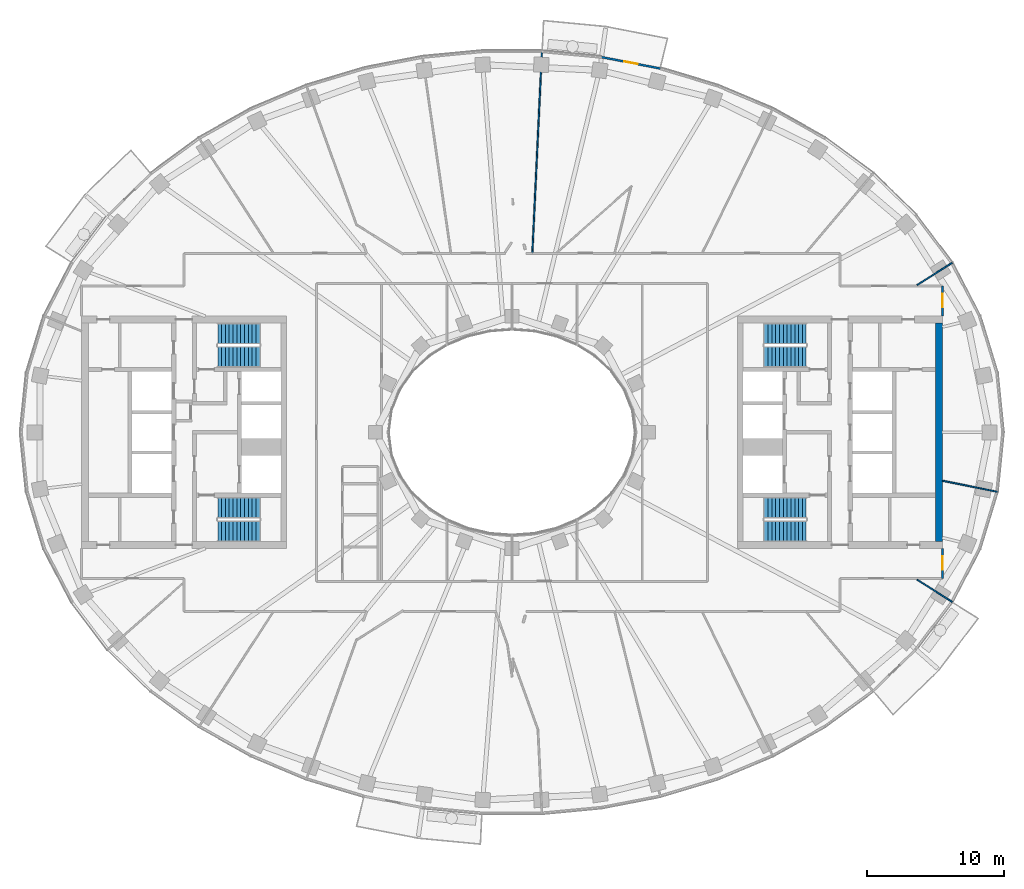
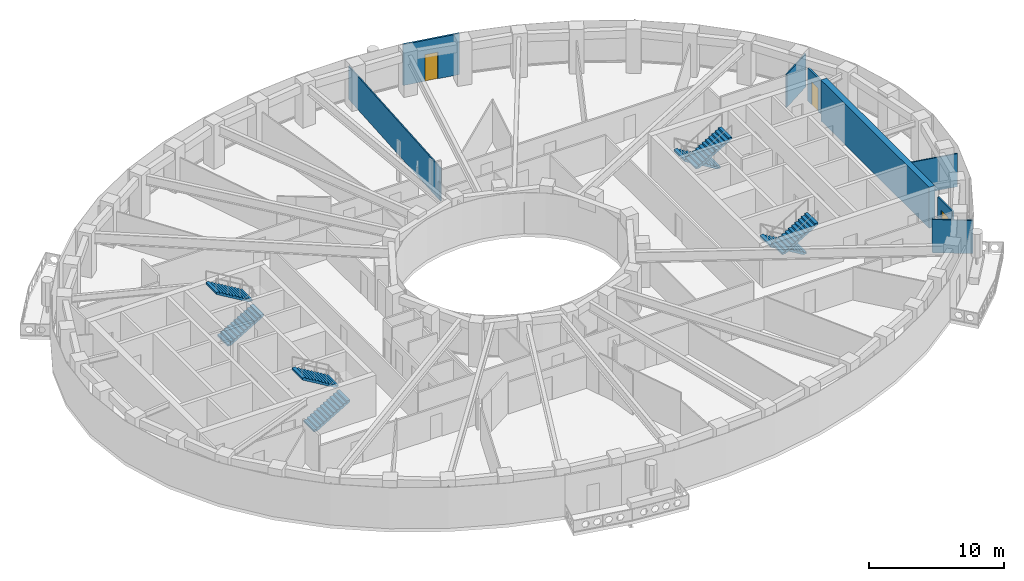
# One storey, part 7 of 16: 8 stair flights, 8 walls, 3 doors, 3 openings, 4 elements without a shape of their own.
"""IFC4 building model written with IfcOpenShell, lengths in metres."""

from ifc_helpers import new_model, si_unit, direction, frame, frame_2d, origin, place, context, subcontext, project, spatial, polyline, rectangle, outline, extrude, material, layer, layer_set, type_object, element, fill, aggregate, save


model = new_model("IFC4")

# Units and contexts
model_context = context("Model", 3, precision=1e-05, world=origin(), true_north=direction((0.0, 1.0)))
body_context = subcontext(model_context, "Body", "Model", "MODEL_VIEW")
ifc_project = project(units=[si_unit("LENGTHUNIT", "METRE"), si_unit("AREAUNIT", "SQUARE_METRE"), si_unit("VOLUMEUNIT", "CUBIC_METRE"), si_unit("PLANEANGLEUNIT", "RADIAN"), si_unit("MASSUNIT", "GRAM", prefix="KILO")], contexts=[model_context])

# Site, building, storey
site_placement = place(None, origin())
site = spatial("IfcSite", under=ifc_project, at=site_placement, CompositionType="ELEMENT")
building_placement = place(site_placement, origin())
building = spatial("IfcBuilding", under=site, at=building_placement, Name="Noorbagh Ring Tower", CompositionType="ELEMENT")
storey_placement = place(building_placement, frame((0.0, 0.0, 237.5)))
storey = spatial("IfcBuildingStorey", under=building, at=storey_placement, Name="L49", CompositionType="ELEMENT", Elevation=237.5)

# Wall
ifc_material_1 = material(Name="Concrete C60/75", Category="concrete")
ifc_layer_1 = layer(ifc_material_1, 0.5)
ifc_layer_set_1 = layer_set([ifc_layer_1], Name="Concrete C60/75")
wall_type_1 = type_object("IfcWallType", Name="CORE-WALL-500-C60-75-EI240", PredefinedType="SHEAR", material=ifc_layer_set_1)
wall_1_placement = place(storey_placement, frame((31.25, -8.0, 0.0), z_axis=(0.0, 0.0, 1.0), x_axis=(0.0, 1.0, 0.0)))
element("IfcWall", 1, at=wall_1_placement, inside=storey, type_object=wall_type_1, Name="Core wall E", PredefinedType="SHEAR", context=body_context, shape_type="SweptSolid", body=[
    extrude(rectangle(XDim=16.0, YDim=0.5, at=frame_2d((8.0, 0.0))), origin(), (0.0, 0.0, 1.0), 3.699951171875),
])

# Wall, opening, door
ifc_material_2 = material(Name="Gypsum board on steel studs", Category="steel")
ifc_layer_2 = layer(ifc_material_2, 0.14990234375)
ifc_layer_set_2 = layer_set([ifc_layer_2], Name="Gypsum board on steel studs")
wall_type_2 = type_object("IfcWallType", Name="CORRIDOR PARTITION 150 EI 30", PredefinedType="PARTITIONING", material=ifc_layer_set_2)
wall_2_placement = place(storey_placement, frame((31.5, -10.699951171875, 0.0), z_axis=(0.0, 0.0, 1.0), x_axis=(0.0, 1.0, 0.0)))
wall_2 = element("IfcWall", 2, at=wall_2_placement, inside=storey, type_object=wall_type_2, Name="L49/wall/P74", PredefinedType="PARTITIONING", context=body_context, shape_type="SweptSolid", body=[
    extrude(rectangle(XDim=2.199951171875, YDim=0.14990234375, at=frame_2d((1.10009765625, 0.0))), origin(), (0.0, 0.0, 1.0), 3.0),
])
opening_1_placement = place(wall_2_placement, frame((0.64990234375, 0.0, 0.0)))
opening_1 = element("IfcOpeningElement", 3, at=opening_1_placement, cuts=wall_2, Name="Opening D1", PredefinedType="OPENING", context=body_context, shape_type="SweptSolid", body=[
    extrude(rectangle(XDim=1.0, YDim=2.10009765625, at=frame_2d((0.5, 1.050048828125))), frame((0.0, 0.0849609375, 0.0), z_axis=(0.0, -1.0, 0.0), x_axis=(1.0, 0.0, 0.0)), (0.0, 0.0, 1.0), 0.169921875),
])
ifc_material_3 = material(Name="Timber, painted", Category="wood")
door_type_1 = type_object("IfcDoorType", Name="DOOR 1000 X 2100 FD30", OperationType="SINGLE_SWING_LEFT", PredefinedType="DOOR", material=ifc_material_3)
door_1_placement = place(opening_1_placement, origin())
door_1 = element("IfcDoor", 4, at=door_1_placement, inside=storey, type_object=door_type_1, Name="L49-D22", OperationType="SINGLE_SWING_RIGHT", OverallHeight=2.10009765625, OverallWidth=1.0, PredefinedType="DOOR", context=body_context, shape_type="SweptSolid", body=[
    extrude(rectangle(XDim=1.0, YDim=2.10009765625, at=frame_2d((0.5, 1.050048828125))), frame((0.0, 0.02490234375, 0.0), z_axis=(0.0, -1.0, 0.0), x_axis=(1.0, 0.0, 0.0)), (0.0, 0.0, 1.0), 0.050048828125),
])
fill(opening_1, door_1)

wall_3_placement = place(storey_placement, frame((31.5, 8.5, 0.0), z_axis=(0.0, 0.0, 1.0), x_axis=(0.0, 1.0, 0.0)))
wall_3 = element("IfcWall", 5, at=wall_3_placement, inside=storey, type_object=wall_type_2, Name="L49/wall/P76", PredefinedType="PARTITIONING", context=body_context, shape_type="SweptSolid", body=[
    extrude(rectangle(XDim=2.199951171875, YDim=0.14990234375, at=frame_2d((1.10009765625, 0.0))), origin(), (0.0, 0.0, 1.0), 3.0),
])
opening_2_placement = place(wall_3_placement, frame((0.64990234375, 0.0, 0.0)))
opening_2 = element("IfcOpeningElement", 6, at=opening_2_placement, cuts=wall_3, Name="Opening D1", PredefinedType="OPENING", context=body_context, shape_type="SweptSolid", body=[
    extrude(rectangle(XDim=1.0, YDim=2.10009765625, at=frame_2d((0.5, 1.050048828125))), frame((0.0, 0.0849609375, 0.0), z_axis=(0.0, -1.0, 0.0), x_axis=(1.0, 0.0, 0.0)), (0.0, 0.0, 1.0), 0.169921875),
])
door_2_placement = place(opening_2_placement, origin())
door_2 = element("IfcDoor", 7, at=door_2_placement, inside=storey, type_object=door_type_1, Name="L49-D23", OperationType="SINGLE_SWING_LEFT", OverallHeight=2.10009765625, OverallWidth=1.0, PredefinedType="DOOR", context=body_context, shape_type="SweptSolid", body=[
    extrude(rectangle(XDim=1.0, YDim=2.10009765625, at=frame_2d((0.5, 1.050048828125))), frame((0.0, 0.02490234375, 0.0), z_axis=(0.0, -1.0, 0.0), x_axis=(1.0, 0.0, 0.0)), (0.0, 0.0, 1.0), 0.050048828125),
])
fill(opening_2, door_2)

ifc_material_4 = material(Name="Insulated aluminium clad panel", Category="aluminium")
ifc_layer_3 = layer(ifc_material_4, 0.14990234375)
ifc_layer_set_3 = layer_set([ifc_layer_3], Name="Insulated aluminium clad panel")
wall_type_3 = type_object("IfcWallType", Name="ENV-WALL-DOOR", PredefinedType="STANDARD", material=ifc_layer_set_3)
wall_4_placement = place(storey_placement, frame((10.87060546875, 26.616943359375, 0.0), z_axis=(0.0, 0.0, 1.0), x_axis=(-0.981631174778, 0.190788460615, 0.0)))
wall_4 = element("IfcWall", 8, at=wall_4_placement, inside=storey, type_object=wall_type_3, Name="Balcony door wall chord 10", PredefinedType="STANDARD", context=body_context, shape_type="SweptSolid", body=[
    extrude(rectangle(XDim=4.42626953125, YDim=0.14990234375, at=frame_2d((2.213134765625, 0.0))), origin(), (0.0, 0.0, 1.0), 3.699951171875),
])
opening_3_placement = place(wall_4_placement, frame((1.713134765625, 0.0, 0.0)))
opening_3 = element("IfcOpeningElement", 9, at=opening_3_placement, cuts=wall_4, Name="Opening D-BL", PredefinedType="OPENING", context=body_context, shape_type="SweptSolid", body=[
    extrude(rectangle(XDim=1.0, YDim=2.39990234375, at=frame_2d((0.5, 1.199951171875))), frame((0.0, 0.0849609375, 0.0), z_axis=(0.0, -1.0, 0.0), x_axis=(1.0, 0.0, 0.0)), (0.0, 0.0, 1.0), 0.169921875),
])
ifc_material_5 = material(Name="Aluminium and glass", Category="aluminium")
door_type_2 = type_object("IfcDoorType", Name="ENV-DOOR-BALCONY", OperationType="SINGLE_SWING_LEFT", PredefinedType="DOOR", material=ifc_material_5)
door_3_placement = place(opening_3_placement, origin())
door_3 = element("IfcDoor", 10, at=door_3_placement, inside=storey, type_object=door_type_2, Name="Balcony door chord 10", OperationType="SINGLE_SWING_RIGHT", OverallHeight=2.39990234375, OverallWidth=1.0, PredefinedType="DOOR", context=body_context, shape_type="SweptSolid", body=[
    extrude(rectangle(XDim=1.0, YDim=2.39990234375, at=frame_2d((0.5, 1.199951171875))), frame((0.0, 0.02490234375, 0.0), z_axis=(0.0, -1.0, 0.0), x_axis=(1.0, 0.0, 0.0)), (0.0, 0.0, 1.0), 0.050048828125),
])
fill(opening_3, door_3)

# Walls
ifc_material_6 = material(Name="Gypsum board on steel studs", Category="steel")
ifc_layer_4 = layer(ifc_material_6, 0.10009765625)
ifc_layer_set_4 = layer_set([ifc_layer_4], Name="Gypsum board on steel studs")
wall_type_4 = type_object("IfcWallType", Name="PARTITION 100 GYPSUM", PredefinedType="PARTITIONING", material=ifc_layer_set_4)
wall_5_placement = place(storey_placement, frame((1.488037109375, 13.10400390625, 0.0), z_axis=(0.0, 0.0, 1.0), x_axis=(0.047392064639, 0.998876364827, 0.0)))
element("IfcWall", 11, at=wall_5_placement, inside=storey, type_object=wall_type_4, Name="L49/wall/P52", PredefinedType="PARTITIONING", context=body_context, shape_type="SweptSolid", body=[
    extrude(rectangle(XDim=14.810546875, YDim=0.10009765625, at=frame_2d((7.4052734375, 0.0))), origin(), (0.0, 0.0, 1.0), 3.0),
])
for number, where, z_axis, x_axis, name in (
    (12, (29.636962890625, -10.777099609375, 0.0), (0.0, 0.0, 1.0), (0.844810627195, -0.535065420467, 0.0), "L49/wall/P72"),
    (13, (29.636962890625, 10.777099609375, 0.0), (0.0, 0.0, 1.0), (0.844810627195, 0.535065420467, 0.0), "L49/wall/P73"),
):
    element("IfcWall", number, at=place(storey_placement, frame(where, z_axis=z_axis, x_axis=x_axis)), inside=storey, type_object=wall_type_4, Name=name, PredefinedType="PARTITIONING", context=body_context, shape_type="SweptSolid", body=[
        extrude(rectangle(XDim=3.0478515625, YDim=0.10009765625, at=frame_2d((1.52392578125, 0.0))), origin(), (0.0, 0.0, 1.0), 3.0),
    ])
wall_6_placement = place(storey_placement, frame((31.5, -3.5419921875, 0.0), z_axis=(0.0, 0.0, 1.0), x_axis=(0.980357474535, -0.197228857227, 0.0)))
element("IfcWall", 14, at=wall_6_placement, inside=storey, type_object=wall_type_4, Name="L49/wall/P75", PredefinedType="PARTITIONING", context=body_context, shape_type="SweptSolid", body=[
    extrude(rectangle(XDim=4.09228515625, YDim=0.10009765625, at=frame_2d((2.046142578125, 0.0))), origin(), (0.0, 0.0, 1.0), 3.0),
])

# Stair, stair flights
ifc_material_7 = material(Name="Concrete C40/50", Category="concrete")
stair_type = type_object("IfcStairType", Name="CORE-STAIR", PredefinedType="HALF_TURN_STAIR", material=ifc_material_7)
stair_1_placement = place(storey_placement, origin())
stair_1 = element("IfcStair", 15, at=stair_1_placement, inside=storey, type_object=stair_type, Name="L49 Exit stair ST1", PredefinedType="HALF_TURN_STAIR")
ifc_material_8 = material(Name="Concrete C40/50", Category="concrete")
stair_flight_type = type_object("IfcStairFlightType", Name="CORE-STAIR-FLIGHT", PredefinedType="STRAIGHT", material=ifc_material_8)
stair_flight_1_placement = place(storey_placement, frame((-21.530029296875, 5.52490234375, 0.0), z_axis=(0.0, 0.0, 1.0), x_axis=(1.0, 0.0, 0.0)))
stair_flight_1 = element("IfcStairFlight", 16, at=stair_flight_1_placement, type_object=stair_flight_type, Name="ST1 flight 1", NumberOfRisers=12, NumberOfTreads=11, PredefinedType="STRAIGHT", RiserHeight=0.166666667, TreadLength=0.28, context=body_context, shape_type="SweptSolid", body=[
    extrude(outline(polyline([(0.0, 0.0), (0.0, 0.166748046875), (0.280029296875, 0.166748046875), (0.280029296875, 0.333251953125), (0.56005859375, 0.333251953125), (0.56005859375, 0.5), (0.840087890625, 0.5), (0.840087890625, 0.666748046875), (1.1201171875, 0.666748046875), (1.1201171875, 0.833251953125), (1.39990234375, 0.833251953125), (1.39990234375, 1.0), (1.679931640625, 1.0), (1.679931640625, 1.166748046875), (1.9599609375, 1.166748046875), (1.9599609375, 1.333251953125), (2.239990234375, 1.333251953125), (2.239990234375, 1.5), (2.52001953125, 1.5), (2.52001953125, 1.666748046875), (2.800048828125, 1.666748046875), (2.800048828125, 1.833251953125), (3.080078125, 1.833251953125), (3.080078125, 2.0), (3.080078125, 1.658935546875), (0.29296875, 0.0), (0.0, 0.0)])), frame((0.0, 0.77490234375, 0.0), z_axis=(0.0, -1.0, 0.0), x_axis=(1.0, 0.0, 0.0)), (0.0, 0.0, 1.0), 1.550048828125),
])
stair_flight_2_placement = place(storey_placement, frame((-18.449951171875, 7.22509765625, 2.0), z_axis=(0.0, 0.0, 1.0), x_axis=(-1.0, 0.0, 0.0)))
stair_flight_2 = element("IfcStairFlight", 17, at=stair_flight_2_placement, type_object=stair_flight_type, Name="ST1 flight 2", NumberOfRisers=12, NumberOfTreads=11, PredefinedType="STRAIGHT", RiserHeight=0.166666667, TreadLength=0.28, context=body_context, shape_type="SweptSolid", body=[
    extrude(outline(polyline([(0.0, 0.0), (0.0, 0.166748046875), (0.280029296875, 0.166748046875), (0.280029296875, 0.333251953125), (0.56005859375, 0.333251953125), (0.56005859375, 0.5), (0.840087890625, 0.5), (0.840087890625, 0.666748046875), (1.1201171875, 0.666748046875), (1.1201171875, 0.833251953125), (1.39990234375, 0.833251953125), (1.39990234375, 1.0), (1.679931640625, 1.0), (1.679931640625, 1.166748046875), (1.9599609375, 1.166748046875), (1.9599609375, 1.333251953125), (2.239990234375, 1.333251953125), (2.239990234375, 1.5), (2.52001953125, 1.5), (2.52001953125, 1.666748046875), (2.800048828125, 1.666748046875), (2.800048828125, 1.833251953125), (3.080078125, 1.833251953125), (3.080078125, 2.0), (3.080078125, 1.658935546875), (0.29296875, 0.0), (0.0, 0.0)])), frame((0.0, 0.77490234375, 0.0), z_axis=(0.0, -1.0, 0.0), x_axis=(1.0, 0.0, 0.0)), (0.0, 0.0, 1.0), 1.550048828125),
])
aggregate(stair_1, [stair_flight_1, stair_flight_2])

stair_2_placement = place(storey_placement, origin())
stair_2 = element("IfcStair", 18, at=stair_2_placement, inside=storey, type_object=stair_type, Name="L49 Exit stair ST2", PredefinedType="HALF_TURN_STAIR")
stair_flight_3_placement = place(storey_placement, frame((-21.530029296875, -7.22509765625, 0.0), z_axis=(0.0, 0.0, 1.0), x_axis=(1.0, 0.0, 0.0)))
stair_flight_3 = element("IfcStairFlight", 19, at=stair_flight_3_placement, type_object=stair_flight_type, Name="ST2 flight 1", NumberOfRisers=12, NumberOfTreads=11, PredefinedType="STRAIGHT", RiserHeight=0.166666667, TreadLength=0.28, context=body_context, shape_type="SweptSolid", body=[
    extrude(outline(polyline([(0.0, 0.0), (0.0, 0.166748046875), (0.280029296875, 0.166748046875), (0.280029296875, 0.333251953125), (0.56005859375, 0.333251953125), (0.56005859375, 0.5), (0.840087890625, 0.5), (0.840087890625, 0.666748046875), (1.1201171875, 0.666748046875), (1.1201171875, 0.833251953125), (1.39990234375, 0.833251953125), (1.39990234375, 1.0), (1.679931640625, 1.0), (1.679931640625, 1.166748046875), (1.9599609375, 1.166748046875), (1.9599609375, 1.333251953125), (2.239990234375, 1.333251953125), (2.239990234375, 1.5), (2.52001953125, 1.5), (2.52001953125, 1.666748046875), (2.800048828125, 1.666748046875), (2.800048828125, 1.833251953125), (3.080078125, 1.833251953125), (3.080078125, 2.0), (3.080078125, 1.658935546875), (0.29296875, 0.0), (0.0, 0.0)])), frame((0.0, 0.77490234375, 0.0), z_axis=(0.0, -1.0, 0.0), x_axis=(1.0, 0.0, 0.0)), (0.0, 0.0, 1.0), 1.550048828125),
])
stair_flight_4_placement = place(storey_placement, frame((-18.449951171875, -5.52490234375, 2.0), z_axis=(0.0, 0.0, 1.0), x_axis=(-1.0, 0.0, 0.0)))
stair_flight_4 = element("IfcStairFlight", 20, at=stair_flight_4_placement, type_object=stair_flight_type, Name="ST2 flight 2", NumberOfRisers=12, NumberOfTreads=11, PredefinedType="STRAIGHT", RiserHeight=0.166666667, TreadLength=0.28, context=body_context, shape_type="SweptSolid", body=[
    extrude(outline(polyline([(0.0, 0.0), (0.0, 0.166748046875), (0.280029296875, 0.166748046875), (0.280029296875, 0.333251953125), (0.56005859375, 0.333251953125), (0.56005859375, 0.5), (0.840087890625, 0.5), (0.840087890625, 0.666748046875), (1.1201171875, 0.666748046875), (1.1201171875, 0.833251953125), (1.39990234375, 0.833251953125), (1.39990234375, 1.0), (1.679931640625, 1.0), (1.679931640625, 1.166748046875), (1.9599609375, 1.166748046875), (1.9599609375, 1.333251953125), (2.239990234375, 1.333251953125), (2.239990234375, 1.5), (2.52001953125, 1.5), (2.52001953125, 1.666748046875), (2.800048828125, 1.666748046875), (2.800048828125, 1.833251953125), (3.080078125, 1.833251953125), (3.080078125, 2.0), (3.080078125, 1.658935546875), (0.29296875, 0.0), (0.0, 0.0)])), frame((0.0, 0.77490234375, 0.0), z_axis=(0.0, -1.0, 0.0), x_axis=(1.0, 0.0, 0.0)), (0.0, 0.0, 1.0), 1.550048828125),
])
aggregate(stair_2, [stair_flight_3, stair_flight_4])

stair_3_placement = place(storey_placement, origin())
stair_3 = element("IfcStair", 21, at=stair_3_placement, inside=storey, type_object=stair_type, Name="L49 Exit stair ST3", PredefinedType="HALF_TURN_STAIR")
stair_flight_5_placement = place(storey_placement, frame((21.530029296875, 7.22509765625, 0.0), z_axis=(0.0, 0.0, 1.0), x_axis=(-1.0, 0.0, 0.0)))
stair_flight_5 = element("IfcStairFlight", 22, at=stair_flight_5_placement, type_object=stair_flight_type, Name="ST3 flight 1", NumberOfRisers=12, NumberOfTreads=11, PredefinedType="STRAIGHT", RiserHeight=0.166666667, TreadLength=0.28, context=body_context, shape_type="SweptSolid", body=[
    extrude(outline(polyline([(0.0, 0.0), (0.0, 0.166748046875), (0.280029296875, 0.166748046875), (0.280029296875, 0.333251953125), (0.56005859375, 0.333251953125), (0.56005859375, 0.5), (0.840087890625, 0.5), (0.840087890625, 0.666748046875), (1.1201171875, 0.666748046875), (1.1201171875, 0.833251953125), (1.39990234375, 0.833251953125), (1.39990234375, 1.0), (1.679931640625, 1.0), (1.679931640625, 1.166748046875), (1.9599609375, 1.166748046875), (1.9599609375, 1.333251953125), (2.239990234375, 1.333251953125), (2.239990234375, 1.5), (2.52001953125, 1.5), (2.52001953125, 1.666748046875), (2.800048828125, 1.666748046875), (2.800048828125, 1.833251953125), (3.080078125, 1.833251953125), (3.080078125, 2.0), (3.080078125, 1.658935546875), (0.29296875, 0.0), (0.0, 0.0)])), frame((0.0, 0.77490234375, 0.0), z_axis=(0.0, -1.0, 0.0), x_axis=(1.0, 0.0, 0.0)), (0.0, 0.0, 1.0), 1.550048828125),
])
stair_flight_6_placement = place(storey_placement, frame((18.449951171875, 5.52490234375, 2.0), z_axis=(0.0, 0.0, 1.0), x_axis=(1.0, 0.0, 0.0)))
stair_flight_6 = element("IfcStairFlight", 23, at=stair_flight_6_placement, type_object=stair_flight_type, Name="ST3 flight 2", NumberOfRisers=12, NumberOfTreads=11, PredefinedType="STRAIGHT", RiserHeight=0.166666667, TreadLength=0.28, context=body_context, shape_type="SweptSolid", body=[
    extrude(outline(polyline([(0.0, 0.0), (0.0, 0.166748046875), (0.280029296875, 0.166748046875), (0.280029296875, 0.333251953125), (0.56005859375, 0.333251953125), (0.56005859375, 0.5), (0.840087890625, 0.5), (0.840087890625, 0.666748046875), (1.1201171875, 0.666748046875), (1.1201171875, 0.833251953125), (1.39990234375, 0.833251953125), (1.39990234375, 1.0), (1.679931640625, 1.0), (1.679931640625, 1.166748046875), (1.9599609375, 1.166748046875), (1.9599609375, 1.333251953125), (2.239990234375, 1.333251953125), (2.239990234375, 1.5), (2.52001953125, 1.5), (2.52001953125, 1.666748046875), (2.800048828125, 1.666748046875), (2.800048828125, 1.833251953125), (3.080078125, 1.833251953125), (3.080078125, 2.0), (3.080078125, 1.658935546875), (0.29296875, 0.0), (0.0, 0.0)])), frame((0.0, 0.77490234375, 0.0), z_axis=(0.0, -1.0, 0.0), x_axis=(1.0, 0.0, 0.0)), (0.0, 0.0, 1.0), 1.550048828125),
])
aggregate(stair_3, [stair_flight_5, stair_flight_6])

stair_4_placement = place(storey_placement, origin())
stair_4 = element("IfcStair", 24, at=stair_4_placement, inside=storey, type_object=stair_type, Name="L49 Exit stair ST4", PredefinedType="HALF_TURN_STAIR")
stair_flight_7_placement = place(storey_placement, frame((21.530029296875, -5.52490234375, 0.0), z_axis=(0.0, 0.0, 1.0), x_axis=(-1.0, 0.0, 0.0)))
stair_flight_7 = element("IfcStairFlight", 25, at=stair_flight_7_placement, type_object=stair_flight_type, Name="ST4 flight 1", NumberOfRisers=12, NumberOfTreads=11, PredefinedType="STRAIGHT", RiserHeight=0.166666667, TreadLength=0.28, context=body_context, shape_type="SweptSolid", body=[
    extrude(outline(polyline([(0.0, 0.0), (0.0, 0.166748046875), (0.280029296875, 0.166748046875), (0.280029296875, 0.333251953125), (0.56005859375, 0.333251953125), (0.56005859375, 0.5), (0.840087890625, 0.5), (0.840087890625, 0.666748046875), (1.1201171875, 0.666748046875), (1.1201171875, 0.833251953125), (1.39990234375, 0.833251953125), (1.39990234375, 1.0), (1.679931640625, 1.0), (1.679931640625, 1.166748046875), (1.9599609375, 1.166748046875), (1.9599609375, 1.333251953125), (2.239990234375, 1.333251953125), (2.239990234375, 1.5), (2.52001953125, 1.5), (2.52001953125, 1.666748046875), (2.800048828125, 1.666748046875), (2.800048828125, 1.833251953125), (3.080078125, 1.833251953125), (3.080078125, 2.0), (3.080078125, 1.658935546875), (0.29296875, 0.0), (0.0, 0.0)])), frame((0.0, 0.77490234375, 0.0), z_axis=(0.0, -1.0, 0.0), x_axis=(1.0, 0.0, 0.0)), (0.0, 0.0, 1.0), 1.550048828125),
])
stair_flight_8_placement = place(storey_placement, frame((18.449951171875, -7.22509765625, 2.0), z_axis=(0.0, 0.0, 1.0), x_axis=(1.0, 0.0, 0.0)))
stair_flight_8 = element("IfcStairFlight", 26, at=stair_flight_8_placement, type_object=stair_flight_type, Name="ST4 flight 2", NumberOfRisers=12, NumberOfTreads=11, PredefinedType="STRAIGHT", RiserHeight=0.166666667, TreadLength=0.28, context=body_context, shape_type="SweptSolid", body=[
    extrude(outline(polyline([(0.0, 0.0), (0.0, 0.166748046875), (0.280029296875, 0.166748046875), (0.280029296875, 0.333251953125), (0.56005859375, 0.333251953125), (0.56005859375, 0.5), (0.840087890625, 0.5), (0.840087890625, 0.666748046875), (1.1201171875, 0.666748046875), (1.1201171875, 0.833251953125), (1.39990234375, 0.833251953125), (1.39990234375, 1.0), (1.679931640625, 1.0), (1.679931640625, 1.166748046875), (1.9599609375, 1.166748046875), (1.9599609375, 1.333251953125), (2.239990234375, 1.333251953125), (2.239990234375, 1.5), (2.52001953125, 1.5), (2.52001953125, 1.666748046875), (2.800048828125, 1.666748046875), (2.800048828125, 1.833251953125), (3.080078125, 1.833251953125), (3.080078125, 2.0), (3.080078125, 1.658935546875), (0.29296875, 0.0), (0.0, 0.0)])), frame((0.0, 0.77490234375, 0.0), z_axis=(0.0, -1.0, 0.0), x_axis=(1.0, 0.0, 0.0)), (0.0, 0.0, 1.0), 1.550048828125),
])
aggregate(stair_4, [stair_flight_7, stair_flight_8])

save(model, "model.ifc")
